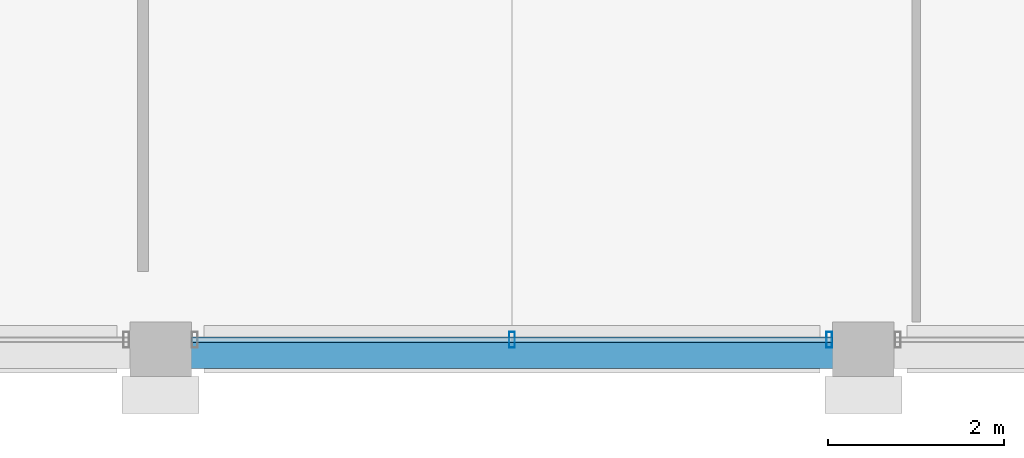
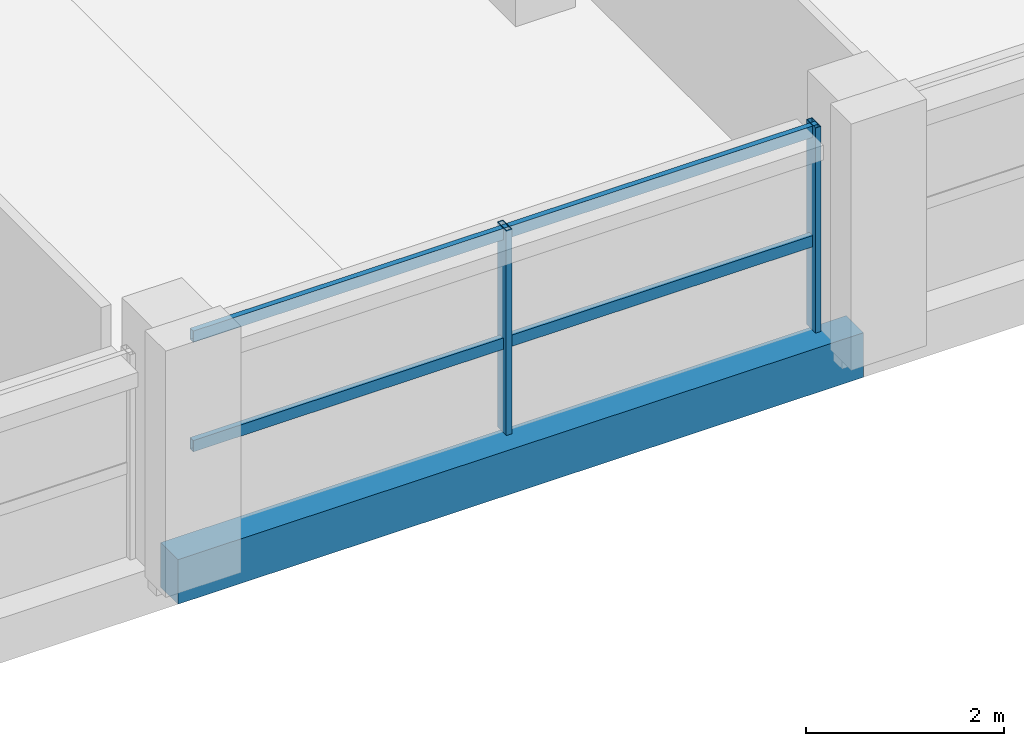
# One storey, part 6 of 24: 4 members, 1 beam, 1 element without a shape of its own.
"""IFC4 building model written with IfcOpenShell, lengths in metres."""

from ifc_helpers import new_model, si_unit, direction, frame, origin, origin_2d, place, context, subcontext, project, spatial, rectangle, hollow_rectangle, extrude, material, material_profile, profile_set, type_object, element, aggregate, save


model = new_model("IFC4")

# Units and contexts
model_context = context("Model", 3, precision=1e-05, world=origin(), true_north=direction((0.0, 1.0)))
body_context = subcontext(model_context, "Body", "Model", "MODEL_VIEW")
ifc_project = project(units=[si_unit("LENGTHUNIT", "METRE"), si_unit("AREAUNIT", "SQUARE_METRE"), si_unit("VOLUMEUNIT", "CUBIC_METRE"), si_unit("PLANEANGLEUNIT", "RADIAN"), si_unit("MASSUNIT", "GRAM", prefix="KILO")], contexts=[model_context])

# Site, building, storey
site_placement = place(None, origin())
site = spatial("IfcSite", under=ifc_project, at=site_placement, CompositionType="ELEMENT")
building_placement = place(site_placement, origin())
building = spatial("IfcBuilding", under=site, at=building_placement, Name="Akrevak Sports Hall", CompositionType="ELEMENT")
storey_placement = place(building_placement, frame((0.0, 0.0, 56.800048828125)))
storey = spatial("IfcBuildingStorey", under=building, at=storey_placement, Name="L14", CompositionType="ELEMENT", Elevation=56.800048828125)

# Curtain wall, members
ifc_material_1 = material(Name="Anodized Bronze Aluminium & Low-E Glass", Category="aluminium")
curtain_wall_type = type_object("IfcCurtainWallType", Name="ARC-CW-TWR-64x30", PredefinedType="NOTDEFINED", material=ifc_material_1)
curtain_wall_placement = place(storey_placement, origin())
curtain_wall = element("IfcCurtainWall", 1, at=curtain_wall_placement, inside=storey, type_object=curtain_wall_type, Name="Curtain Wall CW-L14-S04", PredefinedType="NOTDEFINED")
ifc_material_2 = material(Name="Anodized Bronze Aluminium", Category="aluminium")
ifc_material_profile_1 = material_profile(ifc_material_2, hollow_rectangle(XDim=0.06494140625, YDim=0.179931640625, WallThickness=0.00390625, at=origin_2d()), Name="CWM 65x180", Category="aluminium")
ifc_profile_set_1 = profile_set([ifc_material_profile_1], Name="Anodized Bronze Aluminium")
member_type_1 = type_object("IfcMemberType", Name="ARC-CWM-65x140", PredefinedType="MULLION", material=ifc_profile_set_1)
member_1_placement = place(storey_placement, frame((80.0, 35.550048828125, 0.0), z_axis=(0.0, 0.0, 1.0), x_axis=(1.0, 0.0, 0.0)))
member_1 = element("IfcMember", 2, at=member_1_placement, type_object=member_type_1, Name="Curtain Wall Mullion CW-L14-S04-M2", PredefinedType="MULLION", context=body_context, shape_type="SweptSolid", body=[
    extrude(hollow_rectangle(XDim=0.06494140625, YDim=0.179931640625, WallThickness=0.00390625, at=origin_2d()), origin(), (0.0, 0.0, 1.0), 2.530029296875),
])
member_2_placement = place(storey_placement, frame((83.610107421875, 35.550048828125, 0.0), z_axis=(0.0, 0.0, 1.0), x_axis=(1.0, 0.0, 0.0)))
member_2 = element("IfcMember", 3, at=member_2_placement, type_object=member_type_1, Name="Curtain Wall Mullion CW-L14-S04-M3", PredefinedType="MULLION", context=body_context, shape_type="SweptSolid", body=[
    extrude(hollow_rectangle(XDim=0.06494140625, YDim=0.179931640625, WallThickness=0.00390625, at=origin_2d()), origin(), (0.0, 0.0, 1.0), 2.530029296875),
])
ifc_material_profile_2 = material_profile(ifc_material_2, hollow_rectangle(XDim=0.06494140625, YDim=0.139892578125, WallThickness=0.00390625, at=origin_2d()), Name="CWT 65x140", Category="aluminium")
ifc_profile_set_2 = profile_set([ifc_material_profile_2], Name="Anodized Bronze Aluminium")
member_type_2 = type_object("IfcMemberType", Name="ARC-CWT-65x110", PredefinedType="USERDEFINED", material=ifc_profile_set_2)
member_3_placement = place(storey_placement, frame((76.35009765625, 35.550048828125, 1.099853515625), z_axis=(1.0, 0.0, 0.0), x_axis=(0.0, 1.0, 0.0)))
member_3 = element("IfcMember", 4, at=member_3_placement, type_object=member_type_2, Name="Curtain Wall Transom CW-L14-S04-T1", ObjectType="TRANSOM", PredefinedType="USERDEFINED", context=body_context, shape_type="SweptSolid", body=[
    extrude(hollow_rectangle(XDim=0.06494140625, YDim=0.139892578125, WallThickness=0.00390625, at=origin_2d()), origin(), (0.0, 0.0, 1.0), 7.2998046875),
])
member_4_placement = place(storey_placement, frame((76.35009765625, 35.550048828125, 2.449951171875), z_axis=(1.0, 0.0, 0.0), x_axis=(0.0, 1.0, 0.0)))
member_4 = element("IfcMember", 5, at=member_4_placement, type_object=member_type_2, Name="Curtain Wall Transom CW-L14-S04-T2", ObjectType="TRANSOM", PredefinedType="USERDEFINED", context=body_context, shape_type="SweptSolid", body=[
    extrude(hollow_rectangle(XDim=0.06494140625, YDim=0.139892578125, WallThickness=0.00390625, at=origin_2d()), origin(), (0.0, 0.0, 1.0), 7.2998046875),
])
aggregate(curtain_wall, [member_1, member_2, member_3, member_4])

# Beam
ifc_material_3 = material(Name="Concrete C40/50", Category="concrete")
ifc_material_profile_3 = material_profile(ifc_material_3, rectangle(XDim=0.35009765625, YDim=0.550048828125, at=origin_2d()), Name="BM 350x550", Category="concrete")
ifc_profile_set_3 = profile_set([ifc_material_profile_3], Name="Concrete C40/50")
beam_type = type_object("IfcBeamType", Name="STR-BM-RC350x550", PredefinedType="BEAM", material=ifc_profile_set_3)
beam_placement = place(storey_placement, frame((76.0, 35.39990234375, -0.275146484375), z_axis=(1.0, 0.0, 0.0), x_axis=(0.0, 1.0, 0.0)))
element("IfcBeam", 6, at=beam_placement, inside=storey, type_object=beam_type, Name="Girder F/11-12 (L14)", PredefinedType="BEAM", context=body_context, shape_type="SweptSolid", body=[
    extrude(rectangle(XDim=0.35009765625, YDim=0.550048828125, at=origin_2d()), origin(), (0.0, 0.0, 1.0), 8.0),
])

save(model, "model.ifc")
